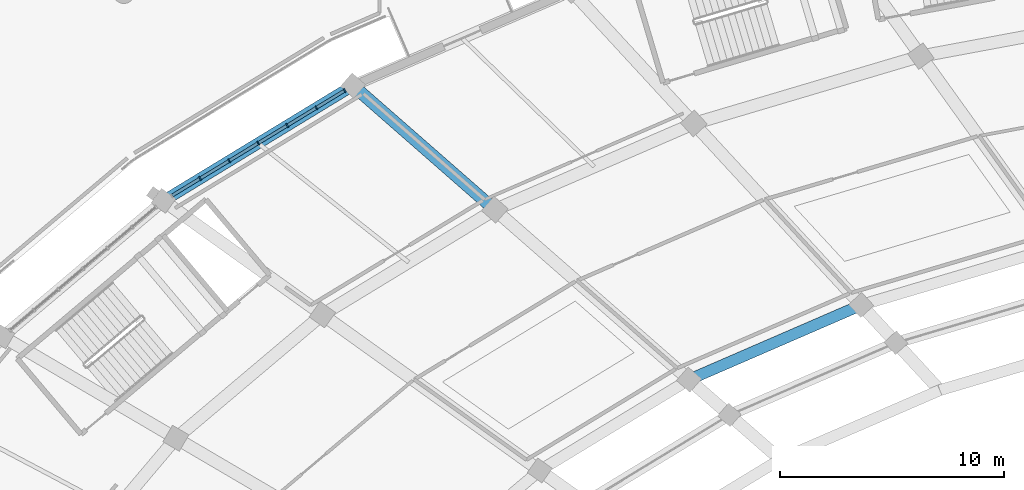
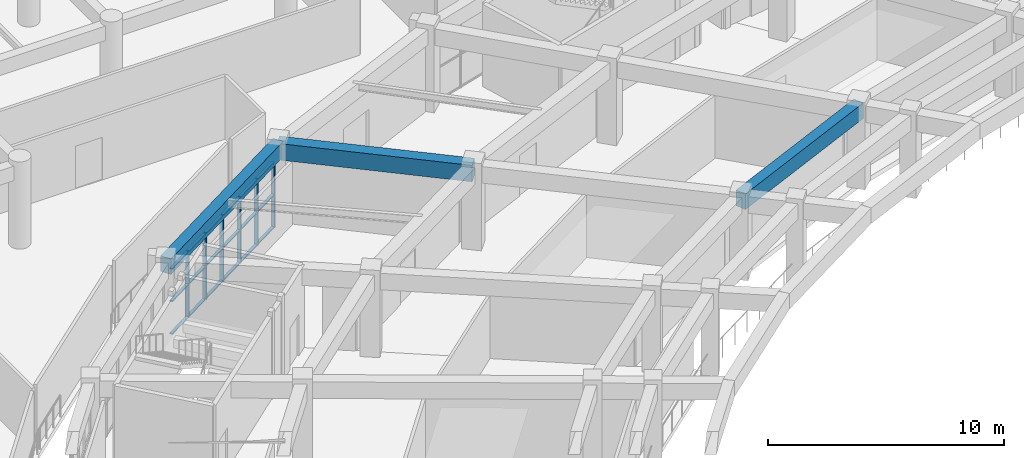
# One storey, part 58 of 145: 24 members, 3 beams, 1 element without a shape of its own.
"""IFC4 building model written with IfcOpenShell, lengths in metres."""

from ifc_helpers import new_model, si_unit, direction, frame, origin, origin_2d, place, context, subcontext, project, spatial, rectangle, extrude, material, layer, layer_set, material_profile, profile_set, type_object, element, aggregate, save


model = new_model("IFC4")

# Units and contexts
model_context = context("Model", 3, precision=1e-05, world=origin(), true_north=direction((0.0, 1.0)))
body_context = subcontext(model_context, "Body", "Model", "MODEL_VIEW")
ifc_project = project(units=[si_unit("LENGTHUNIT", "METRE"), si_unit("AREAUNIT", "SQUARE_METRE"), si_unit("VOLUMEUNIT", "CUBIC_METRE"), si_unit("PLANEANGLEUNIT", "RADIAN"), si_unit("MASSUNIT", "GRAM", prefix="KILO")], contexts=[model_context])

# Site, building, storey
site_placement = place(None, origin())
site = spatial("IfcSite", under=ifc_project, at=site_placement, CompositionType="ELEMENT")
building_placement = place(site_placement, origin())
building = spatial("IfcBuilding", under=site, at=building_placement, Name="Mphavela Belvedere Stadium", CompositionType="ELEMENT")
storey_placement = place(building_placement, frame((0.0, 0.0, 10.199951171875)))
storey = spatial("IfcBuildingStorey", under=building, at=storey_placement, Name="L02", CompositionType="ELEMENT", Elevation=10.199951171875)

# Beams
ifc_material_1 = material(Name="Concrete C40/50", Category="concrete")
ifc_material_profile_1 = material_profile(ifc_material_1, rectangle(XDim=0.5, YDim=0.800048828125, at=origin_2d()), Name="RC 500x800")
ifc_profile_set_1 = profile_set([ifc_material_profile_1], Name="Concrete C40/50")
beam_type_1 = type_object("IfcBeamType", Name="BM-RC500x800", PredefinedType="BEAM", material=ifc_profile_set_1)
beam_1_placement = place(storey_placement, frame((66.997314453125, 139.0625, 3.85009765625), z_axis=(-0.917495728928, -0.397745631526, 0.0), x_axis=(0.397745631526, -0.917495728928, 0.0)))
element("IfcBeam", 1, at=beam_1_placement, inside=storey, type_object=beam_type_1, Name="Circumferential girder L02 R2-17", PredefinedType="BEAM", context=body_context, shape_type="SweptSolid", body=[
    extrude(rectangle(XDim=0.5, YDim=0.800048828125, at=origin_2d()), origin(), (0.0, 0.0, 1.0), 8.37841796875),
])
ifc_material_2 = material(Name="Concrete C40/50", Category="concrete")
ifc_material_profile_2 = material_profile(ifc_material_2, rectangle(XDim=0.550048828125, YDim=0.85009765625, at=origin_2d()), Name="RC 550x850")
ifc_profile_set_2 = profile_set([ifc_material_profile_2], Name="Concrete C40/50")
beam_type_2 = type_object("IfcBeamType", Name="BM-RC550x850", PredefinedType="BEAM", material=ifc_profile_set_2)
beam_2_placement = place(storey_placement, frame((50.639892578125, 143.31689453125, 3.824951171875), z_axis=(-0.752589268993, 0.658490236978, 0.0), x_axis=(-0.658490236978, -0.752589268993, 0.0)))
element("IfcBeam", 2, at=beam_2_placement, inside=storey, type_object=beam_type_2, Name="Radial concourse girder L02 R3R4-18", PredefinedType="BEAM", context=body_context, shape_type="SweptSolid", body=[
    extrude(rectangle(XDim=0.550048828125, YDim=0.85009765625, at=origin_2d()), origin(), (0.0, 0.0, 1.0), 8.419189453125),
])
ifc_material_3 = material(Name="Concrete C40/50", Category="concrete")
ifc_material_profile_3 = material_profile(ifc_material_3, rectangle(XDim=0.5, YDim=0.800048828125, at=origin_2d()), Name="RC 500x800")
ifc_profile_set_3 = profile_set([ifc_material_profile_3], Name="Concrete C40/50")
beam_type_3 = type_object("IfcBeamType", Name="BM-SPANDREL-800", PredefinedType="SPANDREL", material=ifc_profile_set_3)
beam_3_placement = place(storey_placement, frame((44.3037109375, 148.86083984375, 3.85009765625), z_axis=(-0.854326607994, -0.51973651678, 0.0), x_axis=(0.51973651678, -0.854326607994, 0.0)))
element("IfcBeam", 3, at=beam_3_placement, inside=storey, type_object=beam_type_3, Name="Circumferential girder L02 R4-18", PredefinedType="SPANDREL", context=body_context, shape_type="SweptSolid", body=[
    extrude(rectangle(XDim=0.5, YDim=0.800048828125, at=origin_2d()), origin(), (0.0, 0.0, 1.0), 9.901611328125),
])

# Curtain wall, members
ifc_material_4 = material(Name="Anodised bronze unitised curtain wall framing")
ifc_layer = layer(ifc_material_4, 0.199951171875)
ifc_layer_set = layer_set([ifc_layer], Name="Anodised bronze unitised curtain wall framing")
curtain_wall_type = type_object("IfcCurtainWallType", Name="CW-UNIT-05", PredefinedType="USERDEFINED", material=ifc_layer_set)
curtain_wall_placement = place(storey_placement, origin())
curtain_wall = element("IfcCurtainWall", 4, at=curtain_wall_placement, inside=storey, type_object=curtain_wall_type, Name="Belvedere colonnade curtain wall L02-18", ObjectType="UNITISED CURTAIN WALL", PredefinedType="USERDEFINED")
ifc_material_5 = material(Name="Anodised bronze extruded aluminium", Category="aluminium")
ifc_material_profile_4 = material_profile(ifc_material_5, rectangle(XDim=0.179931640625, YDim=0.06494140625, at=origin_2d()), Name="CW-MUL 180x65")
ifc_profile_set_4 = profile_set([ifc_material_profile_4], Name="Anodised bronze extruded aluminium")
member_type_1 = type_object("IfcMemberType", Name="CWM-180x65", PredefinedType="MULLION", material=ifc_profile_set_4)
member_1_placement = place(storey_placement, frame((43.93603515625, 148.63720703125, 0.0), z_axis=(0.0, 0.0, 1.0), x_axis=(0.519731623633, -0.85432958476, 0.0)))
member_1 = element("IfcMember", 5, at=member_1_placement, type_object=member_type_1, Name="CW-05 mullion 1", PredefinedType="MULLION", context=body_context, shape_type="SweptSolid", body=[
    extrude(rectangle(XDim=0.179931640625, YDim=0.06494140625, at=origin_2d()), origin(), (0.0, 0.0, 1.0), 3.420166015625),
])
member_2_placement = place(storey_placement, frame((42.667236328125, 147.865234375, 0.0), z_axis=(0.0, 0.0, 1.0), x_axis=(0.519731623633, -0.85432958476, 0.0)))
member_2 = element("IfcMember", 6, at=member_2_placement, type_object=member_type_1, Name="CW-05 mullion 2", PredefinedType="MULLION", context=body_context, shape_type="SweptSolid", body=[
    extrude(rectangle(XDim=0.179931640625, YDim=0.06494140625, at=origin_2d()), origin(), (0.0, 0.0, 1.0), 3.420166015625),
])
member_3_placement = place(storey_placement, frame((41.37060546875, 147.076416015625, 0.0), z_axis=(0.0, 0.0, 1.0), x_axis=(0.519731623633, -0.85432958476, 0.0)))
member_3 = element("IfcMember", 7, at=member_3_placement, type_object=member_type_1, Name="CW-05 mullion 3", PredefinedType="MULLION", context=body_context, shape_type="SweptSolid", body=[
    extrude(rectangle(XDim=0.179931640625, YDim=0.06494140625, at=origin_2d()), origin(), (0.0, 0.0, 1.0), 3.420166015625),
])
member_4_placement = place(storey_placement, frame((40.07421875, 146.28759765625, 0.0), z_axis=(0.0, 0.0, 1.0), x_axis=(0.519731623633, -0.85432958476, 0.0)))
member_4 = element("IfcMember", 8, at=member_4_placement, type_object=member_type_1, Name="CW-05 mullion 4", PredefinedType="MULLION", context=body_context, shape_type="SweptSolid", body=[
    extrude(rectangle(XDim=0.179931640625, YDim=0.06494140625, at=origin_2d()), origin(), (0.0, 0.0, 1.0), 3.420166015625),
])
member_5_placement = place(storey_placement, frame((38.777587890625, 145.4990234375, 0.0), z_axis=(0.0, 0.0, 1.0), x_axis=(0.519731623633, -0.85432958476, 0.0)))
member_5 = element("IfcMember", 9, at=member_5_placement, type_object=member_type_1, Name="CW-05 mullion 5", PredefinedType="MULLION", context=body_context, shape_type="SweptSolid", body=[
    extrude(rectangle(XDim=0.179931640625, YDim=0.06494140625, at=origin_2d()), origin(), (0.0, 0.0, 1.0), 3.420166015625),
])
member_6_placement = place(storey_placement, frame((37.48095703125, 144.710205078125, 0.0), z_axis=(0.0, 0.0, 1.0), x_axis=(0.519731623633, -0.85432958476, 0.0)))
member_6 = element("IfcMember", 10, at=member_6_placement, type_object=member_type_1, Name="CW-05 mullion 6", PredefinedType="MULLION", context=body_context, shape_type="SweptSolid", body=[
    extrude(rectangle(XDim=0.179931640625, YDim=0.06494140625, at=origin_2d()), origin(), (0.0, 0.0, 1.0), 3.420166015625),
])
ifc_material_6 = material(Name="Anodised bronze extruded aluminium", Category="aluminium")
ifc_material_profile_5 = material_profile(ifc_material_6, rectangle(XDim=0.139892578125, YDim=0.06005859375, at=origin_2d()), Name="CW-TRN 140x60")
ifc_profile_set_5 = profile_set([ifc_material_profile_5], Name="Anodised bronze extruded aluminium")
member_type_2 = type_object("IfcMemberType", Name="CWT-140x60", PredefinedType="USERDEFINED", material=ifc_profile_set_5)
member_7_placement = place(storey_placement, frame((43.908203125, 148.6201171875, 0.030029296875), z_axis=(-0.854321372969, -0.519745121852, 0.0), x_axis=(0.519745121852, -0.854321372969, 0.0)))
member_7 = element("IfcMember", 11, at=member_7_placement, type_object=member_type_2, Name="CW-05 transom 1.1", ObjectType="TRANSOM", PredefinedType="USERDEFINED", context=body_context, shape_type="SweptSolid", body=[
    extrude(rectangle(XDim=0.139892578125, YDim=0.06005859375, at=origin_2d()), origin(), (0.0, 0.0, 1.0), 1.419921875),
])
member_8_placement = place(storey_placement, frame((43.908203125, 148.6201171875, 1.7099609375), z_axis=(-0.854321372969, -0.519745121852, 0.0), x_axis=(0.519745121852, -0.854321372969, 0.0)))
member_8 = element("IfcMember", 12, at=member_8_placement, type_object=member_type_2, Name="CW-05 transom 1.2", ObjectType="TRANSOM", PredefinedType="USERDEFINED", context=body_context, shape_type="SweptSolid", body=[
    extrude(rectangle(XDim=0.139892578125, YDim=0.06005859375, at=origin_2d()), origin(), (0.0, 0.0, 1.0), 1.419921875),
])
member_9_placement = place(storey_placement, frame((43.908203125, 148.6201171875, 3.39013671875), z_axis=(-0.854321372969, -0.519745121852, 0.0), x_axis=(0.519745121852, -0.854321372969, 0.0)))
member_9 = element("IfcMember", 13, at=member_9_placement, type_object=member_type_2, Name="CW-05 transom 1.3", ObjectType="TRANSOM", PredefinedType="USERDEFINED", context=body_context, shape_type="SweptSolid", body=[
    extrude(rectangle(XDim=0.139892578125, YDim=0.06005859375, at=origin_2d()), origin(), (0.0, 0.0, 1.0), 1.419921875),
])
member_10_placement = place(storey_placement, frame((42.639404296875, 147.848388671875, 0.030029296875), z_axis=(-0.854273190748, -0.519824312214, 0.0), x_axis=(0.519824312214, -0.854273190748, 0.0)))
member_10 = element("IfcMember", 14, at=member_10_placement, type_object=member_type_2, Name="CW-05 transom 2.1", ObjectType="TRANSOM", PredefinedType="USERDEFINED", context=body_context, shape_type="SweptSolid", body=[
    extrude(rectangle(XDim=0.139892578125, YDim=0.06005859375, at=origin_2d()), origin(), (0.0, 0.0, 1.0), 1.45263671875),
])
member_11_placement = place(storey_placement, frame((42.639404296875, 147.848388671875, 1.7099609375), z_axis=(-0.854273190748, -0.519824312214, 0.0), x_axis=(0.519824312214, -0.854273190748, 0.0)))
member_11 = element("IfcMember", 15, at=member_11_placement, type_object=member_type_2, Name="CW-05 transom 2.2", ObjectType="TRANSOM", PredefinedType="USERDEFINED", context=body_context, shape_type="SweptSolid", body=[
    extrude(rectangle(XDim=0.139892578125, YDim=0.06005859375, at=origin_2d()), origin(), (0.0, 0.0, 1.0), 1.45263671875),
])
member_12_placement = place(storey_placement, frame((42.639404296875, 147.848388671875, 3.39013671875), z_axis=(-0.854273190748, -0.519824312214, 0.0), x_axis=(0.519824312214, -0.854273190748, 0.0)))
member_12 = element("IfcMember", 16, at=member_12_placement, type_object=member_type_2, Name="CW-05 transom 2.3", ObjectType="TRANSOM", PredefinedType="USERDEFINED", context=body_context, shape_type="SweptSolid", body=[
    extrude(rectangle(XDim=0.139892578125, YDim=0.06005859375, at=origin_2d()), origin(), (0.0, 0.0, 1.0), 1.45263671875),
])
member_13_placement = place(storey_placement, frame((41.343017578125, 147.0595703125, 0.030029296875), z_axis=(-0.85439320808, -0.519627025843, 0.0), x_axis=(0.519627025843, -0.85439320808, 0.0)))
member_13 = element("IfcMember", 17, at=member_13_placement, type_object=member_type_2, Name="CW-05 transom 3.1", ObjectType="TRANSOM", PredefinedType="USERDEFINED", context=body_context, shape_type="SweptSolid", body=[
    extrude(rectangle(XDim=0.139892578125, YDim=0.06005859375, at=origin_2d()), origin(), (0.0, 0.0, 1.0), 1.45263671875),
])
member_14_placement = place(storey_placement, frame((41.343017578125, 147.0595703125, 1.7099609375), z_axis=(-0.85439320808, -0.519627025843, 0.0), x_axis=(0.519627025843, -0.85439320808, 0.0)))
member_14 = element("IfcMember", 18, at=member_14_placement, type_object=member_type_2, Name="CW-05 transom 3.2", ObjectType="TRANSOM", PredefinedType="USERDEFINED", context=body_context, shape_type="SweptSolid", body=[
    extrude(rectangle(XDim=0.139892578125, YDim=0.06005859375, at=origin_2d()), origin(), (0.0, 0.0, 1.0), 1.45263671875),
])
member_15_placement = place(storey_placement, frame((41.343017578125, 147.0595703125, 3.39013671875), z_axis=(-0.85439320808, -0.519627025843, 0.0), x_axis=(0.519627025843, -0.85439320808, 0.0)))
member_15 = element("IfcMember", 19, at=member_15_placement, type_object=member_type_2, Name="CW-05 transom 3.3", ObjectType="TRANSOM", PredefinedType="USERDEFINED", context=body_context, shape_type="SweptSolid", body=[
    extrude(rectangle(XDim=0.139892578125, YDim=0.06005859375, at=origin_2d()), origin(), (0.0, 0.0, 1.0), 1.45263671875),
])
member_16_placement = place(storey_placement, frame((40.04638671875, 146.270751953125, 0.030029296875), z_axis=(-0.854347821313, -0.519701645387, 0.0), x_axis=(0.519701645387, -0.854347821313, 0.0)))
member_16 = element("IfcMember", 20, at=member_16_placement, type_object=member_type_2, Name="CW-05 transom 4.1", ObjectType="TRANSOM", PredefinedType="USERDEFINED", context=body_context, shape_type="SweptSolid", body=[
    extrude(rectangle(XDim=0.139892578125, YDim=0.06005859375, at=origin_2d()), origin(), (0.0, 0.0, 1.0), 1.45263671875),
])
member_17_placement = place(storey_placement, frame((40.04638671875, 146.270751953125, 1.7099609375), z_axis=(-0.854347821313, -0.519701645387, 0.0), x_axis=(0.519701645387, -0.854347821313, 0.0)))
member_17 = element("IfcMember", 21, at=member_17_placement, type_object=member_type_2, Name="CW-05 transom 4.2", ObjectType="TRANSOM", PredefinedType="USERDEFINED", context=body_context, shape_type="SweptSolid", body=[
    extrude(rectangle(XDim=0.139892578125, YDim=0.06005859375, at=origin_2d()), origin(), (0.0, 0.0, 1.0), 1.45263671875),
])
member_18_placement = place(storey_placement, frame((40.04638671875, 146.270751953125, 3.39013671875), z_axis=(-0.854347821313, -0.519701645387, 0.0), x_axis=(0.519701645387, -0.854347821313, 0.0)))
member_18 = element("IfcMember", 22, at=member_18_placement, type_object=member_type_2, Name="CW-05 transom 4.3", ObjectType="TRANSOM", PredefinedType="USERDEFINED", context=body_context, shape_type="SweptSolid", body=[
    extrude(rectangle(XDim=0.139892578125, YDim=0.06005859375, at=origin_2d()), origin(), (0.0, 0.0, 1.0), 1.45263671875),
])
member_19_placement = place(storey_placement, frame((38.749755859375, 145.48193359375, 0.030029296875), z_axis=(-0.854347821313, -0.519701645387, 0.0), x_axis=(0.519701645387, -0.854347821313, 0.0)))
member_19 = element("IfcMember", 23, at=member_19_placement, type_object=member_type_2, Name="CW-05 transom 5.1", ObjectType="TRANSOM", PredefinedType="USERDEFINED", context=body_context, shape_type="SweptSolid", body=[
    extrude(rectangle(XDim=0.139892578125, YDim=0.06005859375, at=origin_2d()), origin(), (0.0, 0.0, 1.0), 1.45263671875),
])
member_20_placement = place(storey_placement, frame((38.749755859375, 145.48193359375, 1.7099609375), z_axis=(-0.854347821313, -0.519701645387, 0.0), x_axis=(0.519701645387, -0.854347821313, 0.0)))
member_20 = element("IfcMember", 24, at=member_20_placement, type_object=member_type_2, Name="CW-05 transom 5.2", ObjectType="TRANSOM", PredefinedType="USERDEFINED", context=body_context, shape_type="SweptSolid", body=[
    extrude(rectangle(XDim=0.139892578125, YDim=0.06005859375, at=origin_2d()), origin(), (0.0, 0.0, 1.0), 1.45263671875),
])
member_21_placement = place(storey_placement, frame((38.749755859375, 145.48193359375, 3.39013671875), z_axis=(-0.854347821313, -0.519701645387, 0.0), x_axis=(0.519701645387, -0.854347821313, 0.0)))
member_21 = element("IfcMember", 25, at=member_21_placement, type_object=member_type_2, Name="CW-05 transom 5.3", ObjectType="TRANSOM", PredefinedType="USERDEFINED", context=body_context, shape_type="SweptSolid", body=[
    extrude(rectangle(XDim=0.139892578125, YDim=0.06005859375, at=origin_2d()), origin(), (0.0, 0.0, 1.0), 1.45263671875),
])
member_22_placement = place(storey_placement, frame((37.453125, 144.693359375, 0.030029296875), z_axis=(-0.8542450285, -0.5198705909, 0.0), x_axis=(0.5198705909, -0.8542450285, 0.0)))
member_22 = element("IfcMember", 26, at=member_22_placement, type_object=member_type_2, Name="CW-05 transom 6.1", ObjectType="TRANSOM", PredefinedType="USERDEFINED", context=body_context, shape_type="SweptSolid", body=[
    extrude(rectangle(XDim=0.139892578125, YDim=0.06005859375, at=origin_2d()), origin(), (0.0, 0.0, 1.0), 1.420166015625),
])
member_23_placement = place(storey_placement, frame((37.453125, 144.693359375, 1.7099609375), z_axis=(-0.8542450285, -0.5198705909, 0.0), x_axis=(0.5198705909, -0.8542450285, 0.0)))
member_23 = element("IfcMember", 27, at=member_23_placement, type_object=member_type_2, Name="CW-05 transom 6.2", ObjectType="TRANSOM", PredefinedType="USERDEFINED", context=body_context, shape_type="SweptSolid", body=[
    extrude(rectangle(XDim=0.139892578125, YDim=0.06005859375, at=origin_2d()), origin(), (0.0, 0.0, 1.0), 1.420166015625),
])
member_24_placement = place(storey_placement, frame((37.453125, 144.693359375, 3.39013671875), z_axis=(-0.8542450285, -0.5198705909, 0.0), x_axis=(0.5198705909, -0.8542450285, 0.0)))
member_24 = element("IfcMember", 28, at=member_24_placement, type_object=member_type_2, Name="CW-05 transom 6.3", ObjectType="TRANSOM", PredefinedType="USERDEFINED", context=body_context, shape_type="SweptSolid", body=[
    extrude(rectangle(XDim=0.139892578125, YDim=0.06005859375, at=origin_2d()), origin(), (0.0, 0.0, 1.0), 1.420166015625),
])
aggregate(curtain_wall, [member_1, member_2, member_3, member_4, member_5, member_6, member_7, member_8, member_9, member_10, member_11, member_12, member_13, member_14, member_15, member_16, member_17, member_18, member_19, member_20, member_21, member_22, member_23, member_24])

save(model, "model.ifc")
